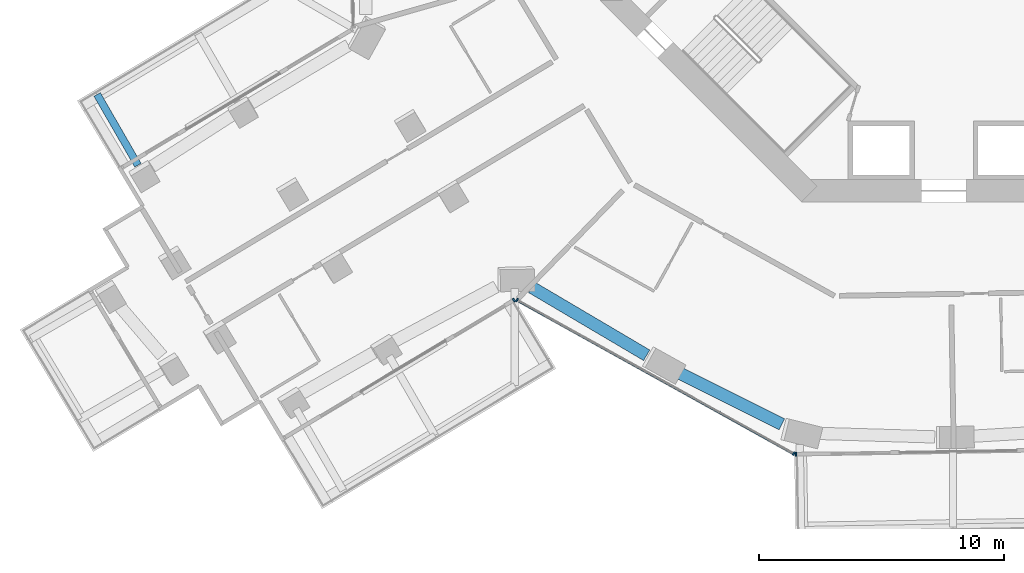
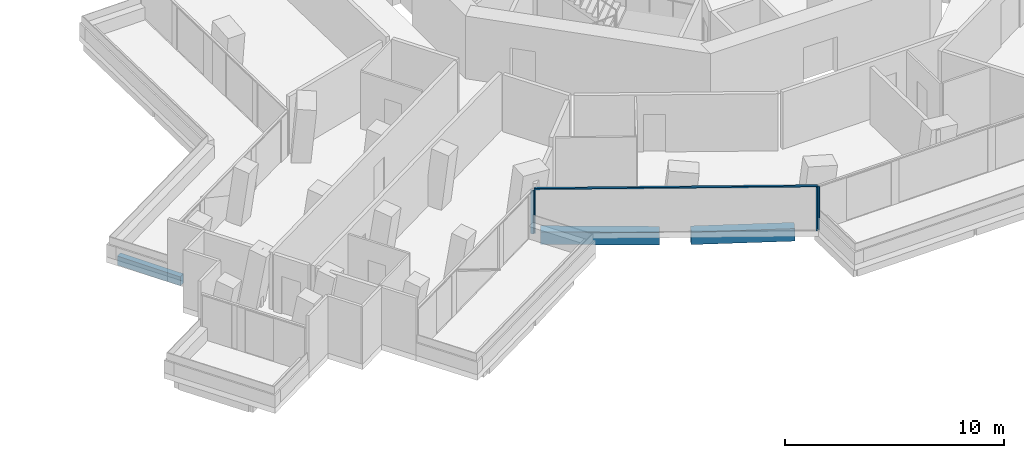
# One storey, part 3 of 25: 5 members, 3 beams, 3 elements without a shape of their own.
"""IFC4 building model written with IfcOpenShell, lengths in metres."""

from ifc_helpers import new_model, si_unit, direction, frame, origin, origin_2d, place, context, subcontext, project, spatial, rectangle, extrude, material, layer, layer_set, material_profile, profile_set, type_object, element, aggregate, save


model = new_model("IFC4")

# Units and contexts
model_context = context("Model", 3, precision=1e-05, world=origin(), true_north=direction((0.0, 1.0)))
body_context = subcontext(model_context, "Body", "Model", "MODEL_VIEW")
ifc_project = project(units=[si_unit("LENGTHUNIT", "METRE"), si_unit("AREAUNIT", "SQUARE_METRE"), si_unit("VOLUMEUNIT", "CUBIC_METRE"), si_unit("PLANEANGLEUNIT", "RADIAN"), si_unit("MASSUNIT", "GRAM", prefix="KILO")], contexts=[model_context])

# Site, building, storey
site_placement = place(None, origin())
site = spatial("IfcSite", under=ifc_project, at=site_placement, CompositionType="ELEMENT")
building_placement = place(site_placement, origin())
building = spatial("IfcBuilding", under=site, at=building_placement, Name="Verdalira Terraces Hotel", CompositionType="ELEMENT")
storey_placement = place(building_placement, frame((0.0, 0.0, 39.0)))
storey = spatial("IfcBuildingStorey", under=building, at=storey_placement, Name="L07", CompositionType="ELEMENT", Elevation=39.0)

# Beam
ifc_material_1 = material(Name="Concrete C40", Category="concrete")
ifc_material_profile_1 = material_profile(ifc_material_1, rectangle(XDim=0.300049, YDim=0.5, at=origin_2d()), Name="RC 300X500")
ifc_profile_set_1 = profile_set([ifc_material_profile_1], Name="Concrete C40")
beam_type_1 = type_object("IfcBeamType", Name="Balcony cantilever beam RC 300X500 C40", PredefinedType="BEAM", material=ifc_profile_set_1)
beam_1_placement = place(storey_placement, frame((-32.85083, -12.505615, -0.560059), z_axis=(-0.500016978, 0.866015601, 0.0), x_axis=(-0.866015601, -0.500016978, 0.0)))
element("IfcBeam", 1, at=beam_1_placement, inside=storey, type_object=beam_type_1, Name="Balcony cantilever beam R13-2", PredefinedType="BEAM", context=body_context, shape_type="SweptSolid", body=[
    extrude(rectangle(XDim=0.300049, YDim=0.5, at=origin_2d()), origin(), (0.0, 0.0, 1.0), 3.324707),
])

# Curtain wall, members
ifc_material_2 = material(Name="Clear glass", Category="glass")
ifc_layer_1 = layer(ifc_material_2, 0.14990234375)
ifc_layer_set_1 = layer_set([ifc_layer_1], Name="CW1 curtain wall")
curtain_wall_type_1 = type_object("IfcCurtainWallType", Name="CW1 curtain wall", PredefinedType="NOTDEFINED", material=ifc_layer_set_1)
curtain_wall_1_placement = place(storey_placement, origin())
curtain_wall_1 = element("IfcCurtainWall", 2, at=curtain_wall_1_placement, inside=storey, type_object=curtain_wall_type_1, Name="CW1 curtain wall L07 edge 25", PredefinedType="NOTDEFINED")
ifc_material_3 = material(Name="Terracotta frame", Category="masonry")
ifc_material_profile_2 = material_profile(ifc_material_3, rectangle(XDim=0.060059, YDim=0.149902, at=origin_2d()), Name="MU 60x150")
ifc_profile_set_2 = profile_set([ifc_material_profile_2], Name="Terracotta frame")
member_type_1 = type_object("IfcMemberType", Name="CW1 mullion 60x150", PredefinedType="MULLION", material=ifc_profile_set_2)
member_1_placement = place(storey_placement, frame((-17.395752, -18.002441, 0.0), z_axis=(0.0, 0.0, 1.0), x_axis=(0.874281033, -0.485420102, 0.0)))
member_1 = element("IfcMember", 3, at=member_1_placement, type_object=member_type_1, Name="CW1 mullion", PredefinedType="MULLION", context=body_context, shape_type="SweptSolid", body=[
    extrude(rectangle(XDim=0.060059, YDim=0.149902, at=origin_2d()), origin(), (0.0, 0.0, 1.0), 2.425049),
])
member_2_placement = place(storey_placement, frame((-6.117676, -24.26416, 0.0), z_axis=(0.0, 0.0, 1.0), x_axis=(0.874281033, -0.485420102, 0.0)))
member_2 = element("IfcMember", 4, at=member_2_placement, type_object=member_type_1, Name="CW1 mullion", PredefinedType="MULLION", context=body_context, shape_type="SweptSolid", body=[
    extrude(rectangle(XDim=0.060059, YDim=0.149902, at=origin_2d()), origin(), (0.0, 0.0, 1.0), 2.425049),
])

# Curtain wall, member
curtain_wall_2_placement = place(storey_placement, origin())
curtain_wall_2 = element("IfcCurtainWall", 5, at=curtain_wall_2_placement, inside=storey, type_object=curtain_wall_type_1, Name="CW1 curtain wall L07 edge 26", PredefinedType="NOTDEFINED")
member_3_placement = place(storey_placement, frame((-6.023682, -24.287598, 0.0), z_axis=(0.0, 0.0, 1.0), x_axis=(0.999859636, 0.016754377, 0.0)))
member_3 = element("IfcMember", 6, at=member_3_placement, type_object=member_type_1, Name="CW1 mullion", PredefinedType="MULLION", context=body_context, shape_type="SweptSolid", body=[
    extrude(rectangle(XDim=0.060059, YDim=0.149902, at=origin_2d()), origin(), (0.0, 0.0, 1.0), 2.425049),
])
aggregate(curtain_wall_2, [member_3])

# Member
ifc_material_4 = material(Name="Terracotta frame", Category="masonry")
ifc_material_profile_3 = material_profile(ifc_material_4, rectangle(XDim=0.110107, YDim=0.064941, at=origin_2d()), Name="TR 65x110")
ifc_profile_set_3 = profile_set([ifc_material_profile_3], Name="Terracotta frame")
member_type_2 = type_object("IfcMemberType", Name="CW1 transom 65x110", PredefinedType="USERDEFINED", material=ifc_profile_set_3)
member_4_placement = place(storey_placement, frame((-17.421875, -17.987793, 2.45752), z_axis=(0.874279874, -0.485422189, 0.0), x_axis=(0.485422189, 0.874279874, 0.0)))
member_4 = element("IfcMember", 7, at=member_4_placement, type_object=member_type_2, Name="CW1 transom", ObjectType="TRANSOM", PredefinedType="USERDEFINED", context=body_context, shape_type="SweptSolid", body=[
    extrude(rectangle(XDim=0.110107, YDim=0.064941, at=origin_2d()), origin(), (0.0, 0.0, 1.0), 12.959961),
])

aggregate(curtain_wall_1, [member_1, member_2, member_4])

# Curtain wall, member
ifc_material_5 = material(Name="Clear glass", Category="glass")
ifc_layer_2 = layer(ifc_material_5, 0.14990234375)
ifc_layer_set_2 = layer_set([ifc_layer_2], Name="CW2 curtain wall")
curtain_wall_type_2 = type_object("IfcCurtainWallType", Name="CW2 curtain wall", PredefinedType="NOTDEFINED", material=ifc_layer_set_2)
curtain_wall_3_placement = place(storey_placement, origin())
curtain_wall_3 = element("IfcCurtainWall", 8, at=curtain_wall_3_placement, inside=storey, type_object=curtain_wall_type_2, Name="CW2 curtain wall L07 edge 24", PredefinedType="NOTDEFINED")
ifc_material_6 = material(Name="Terracotta frame", Category="masonry")
ifc_material_profile_4 = material_profile(ifc_material_6, rectangle(XDim=0.070068, YDim=0.149902, at=origin_2d()), Name="MU 70x150")
ifc_profile_set_4 = profile_set([ifc_material_profile_4], Name="Terracotta frame")
member_type_3 = type_object("IfcMemberType", Name="CW2 mullion 70x150", PredefinedType="MULLION", material=ifc_profile_set_4)
member_5_placement = place(storey_placement, frame((-17.526855, -18.00708, 0.0), z_axis=(0.0, 0.0, 1.0), x_axis=(0.857526656, 0.514439534, 0.0)))
member_5 = element("IfcMember", 9, at=member_5_placement, type_object=member_type_3, Name="CW2 mullion", PredefinedType="MULLION", context=body_context, shape_type="SweptSolid", body=[
    extrude(rectangle(XDim=0.070068, YDim=0.149902, at=origin_2d()), origin(), (0.0, 0.0, 1.0), 2.425049),
])
aggregate(curtain_wall_3, [member_5])

# Beams
ifc_material_7 = material(Name="Concrete C70", Category="concrete")
ifc_material_profile_5 = material_profile(ifc_material_7, rectangle(XDim=0.5, YDim=0.699951, at=origin_2d()), Name="RC 500X700")
ifc_profile_set_5 = profile_set([ifc_material_profile_5], Name="Concrete C70")
beam_type_2 = type_object("IfcBeamType", Name="Spandrel beam RC 500X700 C70", PredefinedType="SPANDREL", material=ifc_profile_set_5)
beam_2_placement = place(storey_placement, frame((-16.795654, -17.490479, -0.659912), z_axis=(0.861075711, -0.508476765, 0.0), x_axis=(0.508476765, 0.861075711, 0.0)))
element("IfcBeam", 10, at=beam_2_placement, inside=storey, type_object=beam_type_2, Name="Spandrel beam B19", PredefinedType="SPANDREL", context=body_context, shape_type="SweptSolid", body=[
    extrude(rectangle(XDim=0.5, YDim=0.699951, at=origin_2d()), origin(), (0.0, 0.0, 1.0), 5.439453),
])
beam_3_placement = place(storey_placement, frame((-10.856689, -20.939453, -0.659912), z_axis=(0.894139502, -0.447788512, 0.0), x_axis=(0.447788512, 0.894139502, 0.0)))
element("IfcBeam", 11, at=beam_3_placement, inside=storey, type_object=beam_type_2, Name="Spandrel beam B20", PredefinedType="SPANDREL", context=body_context, shape_type="SweptSolid", body=[
    extrude(rectangle(XDim=0.5, YDim=0.699951, at=origin_2d()), origin(), (0.0, 0.0, 1.0), 4.755371),
])

save(model, "model.ifc")
